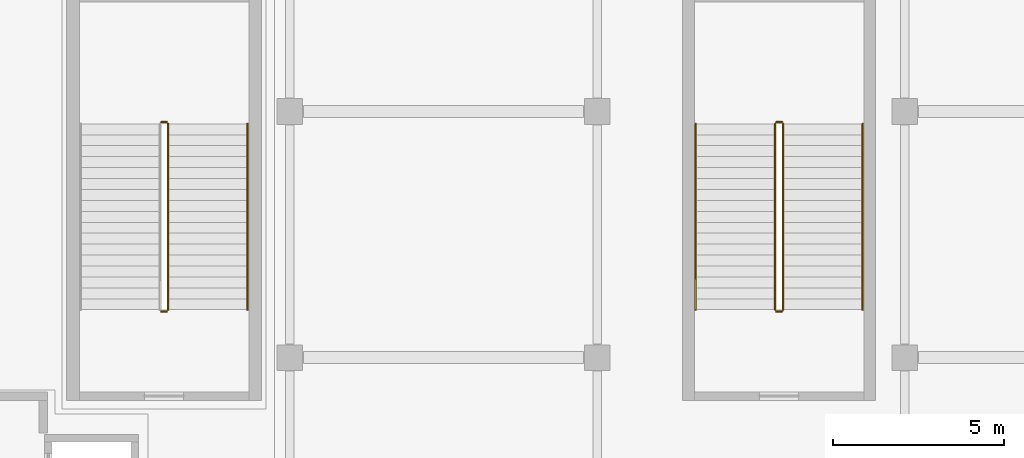
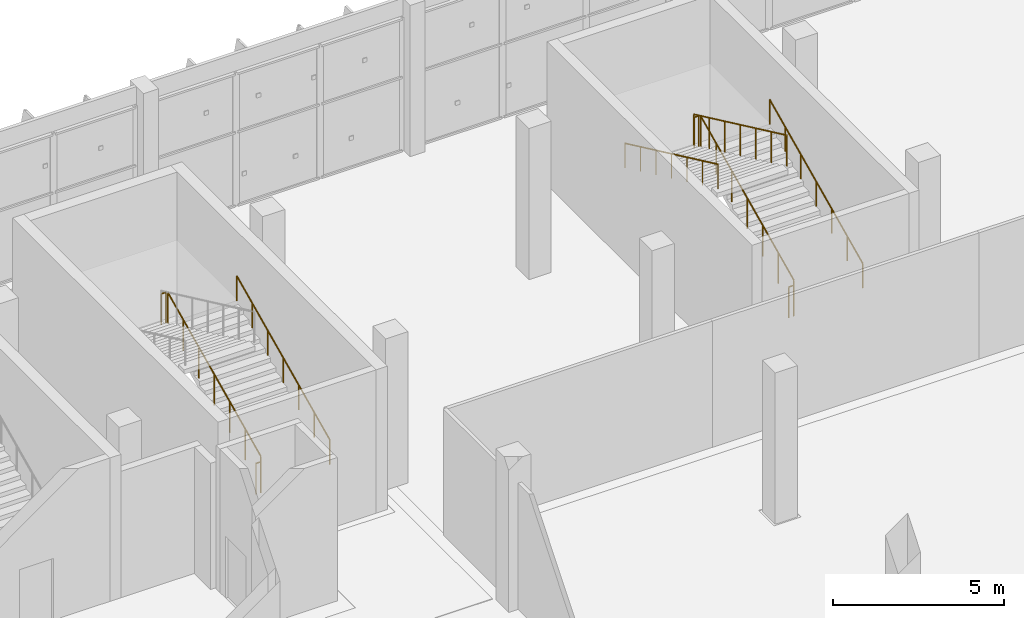
# One storey, part 182 of 189: 10 railings.
"""IFC4 building model written with IfcOpenShell, lengths in metres."""

from ifc_helpers import new_model, si_unit, direction, frame, origin, origin_2d, place, context, subcontext, project, spatial, circle, extrude, material, layer, layer_set, type_object, element, save


model = new_model("IFC4")

# Units and contexts
model_context = context("Model", 3, precision=1e-05, world=origin(), true_north=direction((0.0, 1.0)))
body_context = subcontext(model_context, "Body", "Model", "MODEL_VIEW")
ifc_project = project(units=[si_unit("LENGTHUNIT", "METRE"), si_unit("AREAUNIT", "SQUARE_METRE"), si_unit("VOLUMEUNIT", "CUBIC_METRE"), si_unit("PLANEANGLEUNIT", "RADIAN"), si_unit("MASSUNIT", "GRAM", prefix="KILO")], contexts=[model_context])

# Site, building, storey
site_placement = place(None, origin())
site = spatial("IfcSite", under=ifc_project, at=site_placement, CompositionType="ELEMENT")
building_placement = place(site_placement, origin())
building = spatial("IfcBuilding", under=site, at=building_placement, Name="Celestram Park Convention Centre", CompositionType="ELEMENT")
storey_placement = place(building_placement, frame((0.0, 0.0, 5.39990234375)))
storey = spatial("IfcBuildingStorey", under=building, at=storey_placement, Name="L01", CompositionType="ELEMENT", Elevation=5.39990234375)

# Railings
ifc_material_1 = material(Name="Stainless Steel AISI 316L & Laminated Glass", Category="steel")
ifc_layer_1 = layer(ifc_material_1, 0.06005859375)
ifc_layer_set_1 = layer_set([ifc_layer_1], Name="Stainless Steel AISI 316L & Laminated Glass")
railing_type_1 = type_object("IfcRailingType", Name="ARC-RL-GRD1120", PredefinedType="GUARDRAIL", material=ifc_layer_set_1)
railing_1_placement = place(storey_placement, frame((113.43603515625, 152.60009765625, 0.150146484375)))
element("IfcRailing", 1, at=railing_1_placement, inside=storey, type_object=railing_type_1, Name="L01 ST-16 stair guard 1", PredefinedType="GUARDRAIL", context=body_context, shape_type="SweptSolid", body=[
    extrude(circle(Radius=0.02392578125, at=origin_2d()), frame((0.0, 0.0, 1.09619140625), z_axis=(0.0, 0.90545405566, 0.424444287379), x_axis=(-1.0, 0.0, 0.0)), (0.0, 0.0, 1.0), 6.008056640625),
    extrude(circle(Radius=0.02099609375, at=origin_2d()), origin(), (0.0, 0.0, 1.0), 1.072021484375),
    extrude(circle(Radius=0.02099609375, at=origin_2d()), frame((0.0, 0.90673828125, 0.425048828125)), (0.0, 0.0, 1.0), 1.072021484375),
    extrude(circle(Radius=0.02099609375, at=origin_2d()), frame((0.0, 1.813232421875, 0.85009765625)), (0.0, 0.0, 1.0), 1.072021484375),
    extrude(circle(Radius=0.02099609375, at=origin_2d()), frame((0.0, 2.719970703125, 1.27490234375)), (0.0, 0.0, 1.0), 1.072021484375),
    extrude(circle(Radius=0.02099609375, at=origin_2d()), frame((0.0, 3.626708984375, 1.699951171875)), (0.0, 0.0, 1.0), 1.072021484375),
    extrude(circle(Radius=0.02099609375, at=origin_2d()), frame((0.0, 4.533203125, 2.125)), (0.0, 0.0, 1.0), 1.072021484375),
    extrude(circle(Radius=0.02099609375, at=origin_2d()), frame((0.0, 5.43994140625, 2.550048828125)), (0.0, 0.0, 1.0), 1.072021484375),
])
railing_2_placement = place(storey_placement, frame((113.39990234375, 158.090087890625, 2.7001953125)))
element("IfcRailing", 2, at=railing_2_placement, inside=storey, type_object=railing_type_1, Name="L01 ST-16 stair guard 2", PredefinedType="GUARDRAIL", context=body_context, shape_type="SweptSolid", body=[
    extrude(circle(Radius=0.02392578125, at=origin_2d()), frame((0.0, 0.0, 1.09619140625), z_axis=(-1.0, 0.0, 0.0), x_axis=(0.0, -1.0, 0.0)), (0.0, 0.0, 1.0), 0.159912109375),
    extrude(circle(Radius=0.02099609375, at=origin_2d()), origin(), (0.0, 0.0, 1.0), 1.072021484375),
    extrude(circle(Radius=0.02099609375, at=origin_2d()), frame((-0.159912109375, 0.0, 0.0)), (0.0, 0.0, 1.0), 1.072021484375),
])
railing_3_placement = place(storey_placement, frame((113.2041015625, 158.0400390625, 2.85009765625)))
element("IfcRailing", 3, at=railing_3_placement, inside=storey, type_object=railing_type_1, Name="L01 ST-16 stair guard 3", PredefinedType="GUARDRAIL", context=body_context, shape_type="SweptSolid", body=[
    extrude(circle(Radius=0.02392578125, at=origin_2d()), frame((0.0, 0.0, 1.09619140625), z_axis=(0.0, -0.90545405566, 0.424444287379), x_axis=(1.0, 0.0, 0.0)), (0.0, 0.0, 1.0), 6.008056640625),
    extrude(circle(Radius=0.02099609375, at=origin_2d()), origin(), (0.0, 0.0, 1.0), 1.072021484375),
    extrude(circle(Radius=0.02099609375, at=origin_2d()), frame((0.0, -0.90673828125, 0.425048828125)), (0.0, 0.0, 1.0), 1.072021484375),
    extrude(circle(Radius=0.02099609375, at=origin_2d()), frame((0.0, -1.813232421875, 0.85009765625)), (0.0, 0.0, 1.0), 1.072021484375),
    extrude(circle(Radius=0.02099609375, at=origin_2d()), frame((0.0, -2.719970703125, 1.27490234375)), (0.0, 0.0, 1.0), 1.072021484375),
    extrude(circle(Radius=0.02099609375, at=origin_2d()), frame((0.0, -3.626708984375, 1.699951171875)), (0.0, 0.0, 1.0), 1.072021484375),
    extrude(circle(Radius=0.02099609375, at=origin_2d()), frame((0.0, -4.533203125, 2.125)), (0.0, 0.0, 1.0), 1.072021484375),
    extrude(circle(Radius=0.02099609375, at=origin_2d()), frame((0.0, -5.43994140625, 2.550048828125)), (0.0, 0.0, 1.0), 1.072021484375),
])
railing_4_placement = place(storey_placement, frame((113.39990234375, 152.550048828125, 0.0)))
element("IfcRailing", 4, at=railing_4_placement, inside=storey, type_object=railing_type_1, Name="L01 ST-16 stair guard 4", PredefinedType="GUARDRAIL", context=body_context, shape_type="SweptSolid", body=[
    extrude(circle(Radius=0.02392578125, at=origin_2d()), frame((0.0, 0.0, 1.09619140625), z_axis=(-1.0, 0.0, 0.0), x_axis=(0.0, -1.0, 0.0)), (0.0, 0.0, 1.0), 0.159912109375),
    extrude(circle(Radius=0.02099609375, at=origin_2d()), origin(), (0.0, 0.0, 1.0), 1.072021484375),
    extrude(circle(Radius=0.02099609375, at=origin_2d()), frame((-0.159912109375, 0.0, 0.0)), (0.0, 0.0, 1.0), 1.072021484375),
])
railing_5_placement = place(storey_placement, frame((95.43603515625, 152.60009765625, 0.150146484375)))
element("IfcRailing", 5, at=railing_5_placement, inside=storey, type_object=railing_type_1, Name="L01 ST-19 stair guard 1", PredefinedType="GUARDRAIL", context=body_context, shape_type="SweptSolid", body=[
    extrude(circle(Radius=0.02392578125, at=origin_2d()), frame((0.0, 0.0, 1.09619140625), z_axis=(0.0, 0.90545405566, 0.424444287379), x_axis=(-1.0, 0.0, 0.0)), (0.0, 0.0, 1.0), 6.008056640625),
    extrude(circle(Radius=0.02099609375, at=origin_2d()), origin(), (0.0, 0.0, 1.0), 1.072021484375),
    extrude(circle(Radius=0.02099609375, at=origin_2d()), frame((0.0, 0.90673828125, 0.425048828125)), (0.0, 0.0, 1.0), 1.072021484375),
    extrude(circle(Radius=0.02099609375, at=origin_2d()), frame((0.0, 1.813232421875, 0.85009765625)), (0.0, 0.0, 1.0), 1.072021484375),
    extrude(circle(Radius=0.02099609375, at=origin_2d()), frame((0.0, 2.719970703125, 1.27490234375)), (0.0, 0.0, 1.0), 1.072021484375),
    extrude(circle(Radius=0.02099609375, at=origin_2d()), frame((0.0, 3.626708984375, 1.699951171875)), (0.0, 0.0, 1.0), 1.072021484375),
    extrude(circle(Radius=0.02099609375, at=origin_2d()), frame((0.0, 4.533203125, 2.125)), (0.0, 0.0, 1.0), 1.072021484375),
    extrude(circle(Radius=0.02099609375, at=origin_2d()), frame((0.0, 5.43994140625, 2.550048828125)), (0.0, 0.0, 1.0), 1.072021484375),
])
for number, where, name in (
    (6, (95.39990234375, 158.090087890625, 2.7001953125), "L01 ST-19 stair guard 2"),
    (7, (95.39990234375, 152.550048828125, 0.0), "L01 ST-19 stair guard 4"),
):
    element("IfcRailing", number, at=place(storey_placement, frame(where)), inside=storey, type_object=railing_type_1, Name=name, PredefinedType="GUARDRAIL", context=body_context, shape_type="SweptSolid", body=[
        extrude(circle(Radius=0.02392578125, at=origin_2d()), frame((0.0, 0.0, 1.09619140625), z_axis=(-1.0, 0.0, 0.0), x_axis=(0.0, -1.0, 0.0)), (0.0, 0.0, 1.0), 0.159912109375),
        extrude(circle(Radius=0.02099609375, at=origin_2d()), origin(), (0.0, 0.0, 1.0), 1.072021484375),
        extrude(circle(Radius=0.02099609375, at=origin_2d()), frame((-0.159912109375, 0.0, 0.0)), (0.0, 0.0, 1.0), 1.072021484375),
    ])
ifc_material_2 = material(Name="Brushed Stainless Steel AISI 304", Category="steel")
ifc_layer_2 = layer(ifc_material_2, 0.048095703125)
ifc_layer_set_2 = layer_set([ifc_layer_2], Name="Brushed Stainless Steel AISI 304")
railing_type_2 = type_object("IfcRailingType", Name="ARC-RL-HND915", PredefinedType="HANDRAIL", material=ifc_layer_set_2)
railing_6_placement = place(storey_placement, frame((115.763916015625, 152.60009765625, 0.150146484375)))
element("IfcRailing", 8, at=railing_6_placement, inside=storey, type_object=railing_type_2, Name="L01 ST-16 stair handrail 1", PredefinedType="HANDRAIL", context=body_context, shape_type="SweptSolid", body=[
    extrude(circle(Radius=0.02392578125, at=origin_2d()), frame((0.0, 0.0, 0.8759765625), z_axis=(0.0, 0.90545405566, 0.424444287379), x_axis=(-1.0, 0.0, 0.0)), (0.0, 0.0, 1.0), 6.008056640625),
    extrude(circle(Radius=0.02099609375, at=origin_2d()), origin(), (0.0, 0.0, 1.0), 0.851806640625),
    extrude(circle(Radius=0.02099609375, at=origin_2d()), frame((0.0, 0.90673828125, 0.425048828125)), (0.0, 0.0, 1.0), 0.851806640625),
    extrude(circle(Radius=0.02099609375, at=origin_2d()), frame((0.0, 1.813232421875, 0.85009765625)), (0.0, 0.0, 1.0), 0.851806640625),
    extrude(circle(Radius=0.02099609375, at=origin_2d()), frame((0.0, 2.719970703125, 1.27490234375)), (0.0, 0.0, 1.0), 0.851806640625),
    extrude(circle(Radius=0.02099609375, at=origin_2d()), frame((0.0, 3.626708984375, 1.699951171875)), (0.0, 0.0, 1.0), 0.851806640625),
    extrude(circle(Radius=0.02099609375, at=origin_2d()), frame((0.0, 4.533203125, 2.125)), (0.0, 0.0, 1.0), 0.851806640625),
    extrude(circle(Radius=0.02099609375, at=origin_2d()), frame((0.0, 5.43994140625, 2.550048828125)), (0.0, 0.0, 1.0), 0.851806640625),
])
railing_7_placement = place(storey_placement, frame((110.8759765625, 158.0400390625, 2.85009765625)))
element("IfcRailing", 9, at=railing_7_placement, inside=storey, type_object=railing_type_2, Name="L01 ST-16 stair handrail 2", PredefinedType="HANDRAIL", context=body_context, shape_type="SweptSolid", body=[
    extrude(circle(Radius=0.02392578125, at=origin_2d()), frame((0.0, 0.0, 0.8759765625), z_axis=(0.0, -0.90545405566, 0.424444287379), x_axis=(1.0, 0.0, 0.0)), (0.0, 0.0, 1.0), 6.008056640625),
    extrude(circle(Radius=0.02099609375, at=origin_2d()), origin(), (0.0, 0.0, 1.0), 0.851806640625),
    extrude(circle(Radius=0.02099609375, at=origin_2d()), frame((0.0, -0.90673828125, 0.425048828125)), (0.0, 0.0, 1.0), 0.851806640625),
    extrude(circle(Radius=0.02099609375, at=origin_2d()), frame((0.0, -1.813232421875, 0.85009765625)), (0.0, 0.0, 1.0), 0.851806640625),
    extrude(circle(Radius=0.02099609375, at=origin_2d()), frame((0.0, -2.719970703125, 1.27490234375)), (0.0, 0.0, 1.0), 0.851806640625),
    extrude(circle(Radius=0.02099609375, at=origin_2d()), frame((0.0, -3.626708984375, 1.699951171875)), (0.0, 0.0, 1.0), 0.851806640625),
    extrude(circle(Radius=0.02099609375, at=origin_2d()), frame((0.0, -4.533203125, 2.125)), (0.0, 0.0, 1.0), 0.851806640625),
    extrude(circle(Radius=0.02099609375, at=origin_2d()), frame((0.0, -5.43994140625, 2.550048828125)), (0.0, 0.0, 1.0), 0.851806640625),
])
railing_8_placement = place(storey_placement, frame((97.763916015625, 152.60009765625, 0.150146484375)))
element("IfcRailing", 10, at=railing_8_placement, inside=storey, type_object=railing_type_2, Name="L01 ST-19 stair handrail 1", PredefinedType="HANDRAIL", context=body_context, shape_type="SweptSolid", body=[
    extrude(circle(Radius=0.02392578125, at=origin_2d()), frame((0.0, 0.0, 0.8759765625), z_axis=(0.0, 0.90545405566, 0.424444287379), x_axis=(-1.0, 0.0, 0.0)), (0.0, 0.0, 1.0), 6.008056640625),
    extrude(circle(Radius=0.02099609375, at=origin_2d()), origin(), (0.0, 0.0, 1.0), 0.851806640625),
    extrude(circle(Radius=0.02099609375, at=origin_2d()), frame((0.0, 0.90673828125, 0.425048828125)), (0.0, 0.0, 1.0), 0.851806640625),
    extrude(circle(Radius=0.02099609375, at=origin_2d()), frame((0.0, 1.813232421875, 0.85009765625)), (0.0, 0.0, 1.0), 0.851806640625),
    extrude(circle(Radius=0.02099609375, at=origin_2d()), frame((0.0, 2.719970703125, 1.27490234375)), (0.0, 0.0, 1.0), 0.851806640625),
    extrude(circle(Radius=0.02099609375, at=origin_2d()), frame((0.0, 3.626708984375, 1.699951171875)), (0.0, 0.0, 1.0), 0.851806640625),
    extrude(circle(Radius=0.02099609375, at=origin_2d()), frame((0.0, 4.533203125, 2.125)), (0.0, 0.0, 1.0), 0.851806640625),
    extrude(circle(Radius=0.02099609375, at=origin_2d()), frame((0.0, 5.43994140625, 2.550048828125)), (0.0, 0.0, 1.0), 0.851806640625),
])

save(model, "model.ifc")
